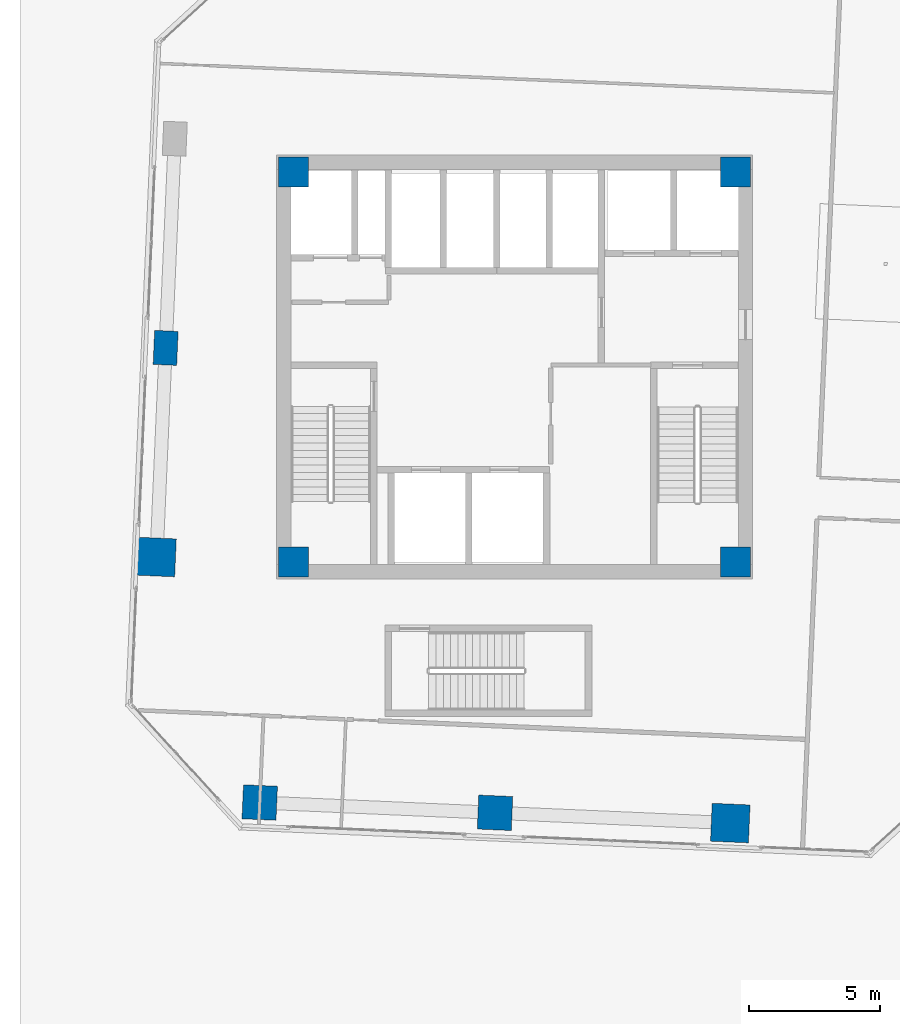
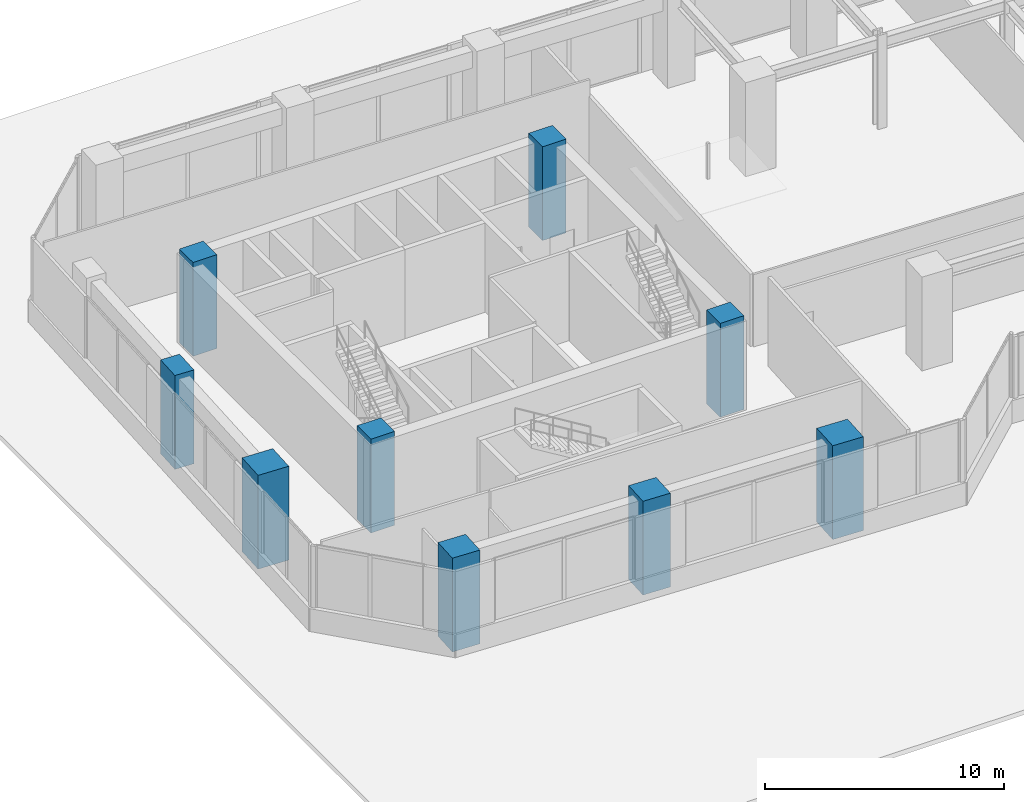
# One storey, part 1 of 33: 9 columns.
"""IFC4 building model written with IfcOpenShell, lengths in metres."""

import ifcopenshell
import ifcopenshell.guid

model = None  # the IFC model being written
_history = None  # IfcOwnerHistory: only IFC2X3 demands one
_inside = {}  # id of a spatial element -> (the spatial element, [elements in it])
_under = {}  # id of a project, library or spatial element -> (it, [spatial elements below it])
_declared = {}  # id of a project -> (the project, [libraries it declares])
_typed = {}  # id of a type object -> (the type object, [elements of that type])
_made_of = {}  # id of a material, layer set ... -> (it, [elements and type objects made of it])


def new_model(schema):
    """Start an empty IFC model of exactly this schema.

    Asked for "IFC4X3", IfcOpenShell would pick the latest addendum, in which some entities
    have other attributes; the version numbers below select the first issue.
    IFC2X3 requires an IfcOwnerHistory on every rooted entity: one is made here for all.
    """
    global model, _history
    if schema == "IFC4X3":
        model = ifcopenshell.file(schema_version=(4, 3, 0, 0))
    else:
        model = ifcopenshell.file(schema=schema)
    _inside.clear()
    _under.clear()
    _declared.clear()
    _typed.clear()
    _made_of.clear()
    _history = None
    if model.schema == "IFC2X3":
        org = make("IfcOrganization", Name="unknown")
        user = make(
            "IfcPersonAndOrganization",
            ThePerson=make("IfcPerson", FamilyName="unknown"),
            TheOrganization=org,
        )
        app = make(
            "IfcApplication",
            ApplicationDeveloper=org,
            Version="unknown",
            ApplicationFullName="unknown",
            ApplicationIdentifier="unknown",
        )
        _history = make(
            "IfcOwnerHistory",
            OwningUser=user,
            OwningApplication=app,
            ChangeAction="ADDED",
            CreationDate=0,
        )
    return model


def make(cls, **values):
    """One entity of the class cls with the attributes given. An attribute that is None is left unset."""
    return model.create_entity(
        cls, **{name: value for name, value in values.items() if value is not None}
    )


def rooted(cls, **values):
    """An entity with a GlobalId (a new one), such as an element, a storey or a relation."""
    return make(cls, GlobalId=ifcopenshell.guid.new(), OwnerHistory=_history, **values)


def si_unit(unit_type, name, prefix=None):
    """IfcSIUnit, for example si_unit("LENGTHUNIT", "METRE", prefix="MILLI")."""
    return make("IfcSIUnit", UnitType=unit_type, Prefix=prefix, Name=name)


def assignment(units):
    """IfcUnitAssignment: the units of a project."""
    return None if units is None else make("IfcUnitAssignment", Units=units)


def point(xyz):
    """IfcCartesianPoint."""
    return None if xyz is None else make("IfcCartesianPoint", Coordinates=xyz)


def direction(xyz):
    """IfcDirection."""
    return None if xyz is None else make("IfcDirection", DirectionRatios=xyz)


def frame(location, z_axis=None, x_axis=None):
    """IfcAxis2Placement3D, a coordinate frame: its origin and axes. An axis left out is left unset."""
    return make(
        "IfcAxis2Placement3D",
        Location=point(location),
        Axis=direction(z_axis),
        RefDirection=direction(x_axis),
    )


def frame_2d(location, x_axis=None):
    """IfcAxis2Placement2D, a coordinate frame in the plane: its origin and x axis."""
    return make(
        "IfcAxis2Placement2D", Location=point(location), RefDirection=direction(x_axis)
    )


def origin():
    """The frame at (0, 0, 0) with its axes left unset."""
    return frame((0.0, 0.0, 0.0))


def origin_2d():
    """The frame at (0, 0) in the plane with its x axis left unset."""
    return frame_2d((0.0, 0.0))


def place(relative_to, where):
    """IfcLocalPlacement: puts the frame where relative to a parent placement (None: the world)."""
    return make(
        "IfcLocalPlacement", PlacementRelTo=relative_to, RelativePlacement=where
    )


def context(
    kind, dimensions, precision=None, world=None, true_north=None, identifier=None
):
    """IfcGeometricRepresentationContext, for example the 3D "Model" context."""
    return make(
        "IfcGeometricRepresentationContext",
        ContextIdentifier=identifier,
        ContextType=kind,
        CoordinateSpaceDimension=dimensions,
        Precision=precision,
        WorldCoordinateSystem=world,
        TrueNorth=true_north,
    )


def subcontext(parent, identifier, kind, view, scale=None):
    """IfcGeometricRepresentationSubContext, for example "Body" below "Model"."""
    return make(
        "IfcGeometricRepresentationSubContext",
        ContextIdentifier=identifier,
        ContextType=kind,
        ParentContext=parent,
        TargetScale=scale,
        TargetView=view,
    )


def project(units=None, contexts=None):
    """IfcProject with its units and contexts."""
    return rooted(
        "IfcProject",
        Name="project",
        RepresentationContexts=contexts,
        UnitsInContext=assignment(units),
    )


def spatial(cls, under=None, at=None, **own):
    """A site, building, storey or space (cls), placed at a placement, below another one or the project."""
    s = rooted(cls, ObjectPlacement=at, **own)
    if under is not None:
        _under.setdefault(under.id(), (under, []))[1].append(s)
    return s


def profile(cls, at=None, kind="AREA", **sizes):
    """A parametric profile (cls). Its sizes go by their IFC names, for example OverallWidth=200.0."""
    return make(cls, ProfileType=kind, Position=at, **sizes)


def rectangle(**sizes):
    """IfcRectangleProfileDef."""
    return profile("IfcRectangleProfileDef", **sizes)


def extrude(swept, where, along, depth):
    """IfcExtrudedAreaSolid: the profile swept, set in the frame where, extruded along a direction by depth."""
    return make(
        "IfcExtrudedAreaSolid",
        SweptArea=swept,
        Position=where,
        ExtrudedDirection=direction(along),
        Depth=depth,
    )


def shape(context_of_items, identifier, shape_type, items):
    """IfcShapeRepresentation: the items that make up one representation, for example the "Body"."""
    return make(
        "IfcShapeRepresentation",
        ContextOfItems=context_of_items,
        RepresentationIdentifier=identifier,
        RepresentationType=shape_type,
        Items=items,
    )


def source(mapping_origin, context_of_items, identifier, shape_type, items):
    """IfcRepresentationMap: a shape defined once, which mapped items show again and again."""
    return make(
        "IfcRepresentationMap",
        MappingOrigin=mapping_origin,
        MappedRepresentation=shape(context_of_items, identifier, shape_type, items),
    )


def transform(
    local_origin,
    x_axis=None,
    y_axis=None,
    z_axis=None,
    scale=None,
    scale2=None,
    scale3=None,
    uniform=True,
):
    """IfcCartesianTransformationOperator3D, or its non-uniform kind. x_axis, y_axis, z_axis: its Axis1, 2, 3."""
    if uniform:
        return make(
            "IfcCartesianTransformationOperator3D",
            Axis1=direction(x_axis),
            Axis2=direction(y_axis),
            LocalOrigin=point(local_origin),
            Scale=scale,
            Axis3=direction(z_axis),
        )
    return make(
        "IfcCartesianTransformationOperator3DnonUniform",
        Axis1=direction(x_axis),
        Axis2=direction(y_axis),
        LocalOrigin=point(local_origin),
        Scale=scale,
        Axis3=direction(z_axis),
        Scale2=scale2,
        Scale3=scale3,
    )


def mapped(mapping_source, mapping_target):
    """IfcMappedItem: shows the shape of a source again, moved by a transform."""
    return make(
        "IfcMappedItem", MappingSource=mapping_source, MappingTarget=mapping_target
    )


def material(Name=None, Category=None):
    """IfcMaterial."""
    return make("IfcMaterial", Name=Name, Category=Category)


def material_profile(
    of_material, cross_section, Name=None, Category=None, Priority=None
):
    """IfcMaterialProfile: a cross section and its material."""
    return make(
        "IfcMaterialProfile",
        Name=Name,
        Material=of_material,
        Profile=cross_section,
        Priority=Priority,
        Category=Category,
    )


def profile_set(profiles, Name=None, composite=None):
    """IfcMaterialProfileSet."""
    return make(
        "IfcMaterialProfileSet",
        Name=Name,
        MaterialProfiles=profiles,
        CompositeProfile=composite,
    )


def made_of(thing, what):
    """Note that an element or type object is made of a material, layer set ...; save() writes the relation."""
    if what is not None:
        _made_of.setdefault(what.id(), (what, []))[1].append(thing)
    return thing


def type_object(cls, material=None, **own):
    """A type object (cls), such as IfcWallType, which elements share."""
    return made_of(rooted(cls, **own), material)


def element(
    cls,
    number,
    at=None,
    inside=None,
    cuts=None,
    type_object=None,
    material=None,
    context=None,
    identifier="Body",
    shape_type=None,
    held_by="IfcProductDefinitionShape",
    body=None,
    shapes=None,
    **own,
):
    """One element of the class cls, such as IfcWall. Its Tag is "e" and its number.

    at: its placement. inside: the storey or other place that contains it. cuts: it is an
    opening in that element (IfcRelVoidsElement). A single representation is given by context,
    identifier, shape_type and body (its items); several are given by shapes. held_by: the class
    of the entity that holds the representations. save() writes the other relations.
    """
    e = rooted(cls, Tag="e%d" % number, ObjectPlacement=at, **own)
    if body is not None:
        shapes = [shape(context, identifier, shape_type, body)]
    if shapes is not None:
        e.Representation = make(held_by, Representations=shapes)
    if inside is not None:
        _inside.setdefault(inside.id(), (inside, []))[1].append(e)
    if cuts is not None:
        rooted(
            "IfcRelVoidsElement", RelatingBuildingElement=cuts, RelatedOpeningElement=e
        )
    if type_object is not None:
        _typed.setdefault(type_object.id(), (type_object, []))[1].append(e)
    return made_of(e, material)


def aggregate(whole, parts):
    """IfcRelAggregates: a whole, such as a stair, and the parts it consists of."""
    return rooted("IfcRelAggregates", RelatingObject=whole, RelatedObjects=parts)


def save(model, path):
    """Write the relations noted so far, then the file.

    IfcRelAggregates (storeys below a building ...), IfcRelContainedInSpatialStructure (elements
    in a storey), IfcRelDefinesByType, IfcRelAssociatesMaterial and IfcRelDeclares: one each for
    every whole, place, type object, material and project.
    """
    for whole, parts in _under.values():
        aggregate(whole, parts)
    for where, things in _inside.values():
        rooted(
            "IfcRelContainedInSpatialStructure",
            RelatedElements=things,
            RelatingStructure=where,
        )
    for kind, things in _typed.values():
        rooted("IfcRelDefinesByType", RelatedObjects=things, RelatingType=kind)
    for what, things in _made_of.values():
        rooted("IfcRelAssociatesMaterial", RelatedObjects=things, RelatingMaterial=what)
    for by, libraries in _declared.values():
        rooted("IfcRelDeclares", RelatingContext=by, RelatedDefinitions=libraries)
    model.write(path)


model = new_model("IFC4")

# Units and contexts
model_context = context("Model", 3, precision=1e-05, world=origin(), true_north=direction((0.0, 1.0)))
body_context = subcontext(model_context, "Body", "Model", "MODEL_VIEW")
ifc_project = project(units=[si_unit("LENGTHUNIT", "METRE"), si_unit("AREAUNIT", "SQUARE_METRE"), si_unit("VOLUMEUNIT", "CUBIC_METRE"), si_unit("PLANEANGLEUNIT", "RADIAN"), si_unit("MASSUNIT", "GRAM", prefix="KILO")], contexts=[model_context])

# Site, building, storey
site_placement = place(None, origin())
site = spatial("IfcSite", under=ifc_project, at=site_placement, CompositionType="ELEMENT")
building_placement = place(site_placement, origin())
building = spatial("IfcBuilding", under=site, at=building_placement, Name="Torre Montelarca", CompositionType="ELEMENT")
storey_placement = place(building_placement, frame((0.0, 0.0, 32.800048828125)))
storey = spatial("IfcBuildingStorey", under=building, at=storey_placement, Name="L07", CompositionType="ELEMENT", Elevation=32.800048828125)

# Columns
ifc_material_1 = material(Name="Concrete C55/67", Category="concrete")
ifc_material_profile_1 = material_profile(ifc_material_1, rectangle(XDim=0.89990234375, YDim=1.300048828125, at=origin_2d()), Name="RC1300X900", Category="concrete")
ifc_profile_set_1 = profile_set([ifc_material_profile_1], Name="Concrete C55/67")
column_type_1 = type_object("IfcColumnType", Name="COL-PIL1300-EXT", PredefinedType="PILASTER", material=ifc_profile_set_1)
shared_shape_1 = source(origin(), body_context, "Body", "SweptSolid", [
    extrude(rectangle(XDim=0.89990234375, YDim=1.300048828125, at=origin_2d()), origin(), (0.0, 0.0, 1.0), 4.798583984375),
])
column_placement = place(storey_placement, frame((4.666015625, 32.735107421875, 0.000732421875), z_axis=(0.0, 0.0, 1.0), x_axis=(-0.999048221582, 0.043619387365, 0.0)))
element("IfcColumn", 1, at=column_placement, inside=storey, type_object=column_type_1, Name="L07 Column 1W/E", PredefinedType="PILASTER", context=body_context, shape_type="MappedRepresentation", body=[
    mapped(shared_shape_1, transform((0.0, 0.0, 0.0), scale=1.0)),
])
ifc_material_2 = material(Name="Concrete C70/85", Category="concrete")
ifc_material_profile_2 = material_profile(ifc_material_2, rectangle(XDim=1.449951171875, YDim=1.449951171875, at=origin_2d()), Name="RC1450X1450", Category="concrete")
ifc_profile_set_2 = profile_set([ifc_material_profile_2], Name="Concrete C70/85")
column_type_2 = type_object("IfcColumnType", Name="COL-RC1450-EXT", PredefinedType="COLUMN", material=ifc_profile_set_2)
shared_shape_2 = source(origin(), body_context, "Body", "SweptSolid", [
    extrude(rectangle(XDim=1.449951171875, YDim=1.449951171875, at=origin_2d()), origin(), (0.0, 0.0, 1.0), 4.798583984375),
])
for number, where, z_axis, x_axis, name in (
    (2, (26.244384765625, 14.576416015625, 0.000732421875), (0.0, 0.0, 1.0), (-0.999048221582, 0.043619387365, 0.0), "L07 Perimeter Mega Column 4/CS"),
    (3, (4.317138671875, 24.74267578125, 0.000732421875), (0.0, 0.0, 1.0), (-0.999048221582, 0.043619387365, 0.0), "L07 Perimeter Mega Column 1W/D"),
):
    element("IfcColumn", number, at=place(storey_placement, frame(where, z_axis=z_axis, x_axis=x_axis)), inside=storey, type_object=column_type_2, Name=name, PredefinedType="COLUMN", context=body_context, shape_type="MappedRepresentation", body=[
        mapped(shared_shape_2, transform((0.0, 0.0, 0.0), scale=1.0)),
    ])
ifc_material_profile_3 = material_profile(ifc_material_1, rectangle(XDim=1.14990234375, YDim=1.14990234375, at=origin_2d()), Name="RC1150X1150", Category="concrete")
ifc_profile_set_3 = profile_set([ifc_material_profile_3], Name="Concrete C55/67")
column_type_3 = type_object("IfcColumnType", Name="COL-RC1150", PredefinedType="COLUMN", material=ifc_profile_set_3)
shared_shape_3 = source(origin(), body_context, "Body", "SweptSolid", [
    extrude(rectangle(XDim=1.14990234375, YDim=1.14990234375, at=origin_2d()), origin(), (0.0, 0.0, 1.0), 4.798583984375),
])
for number, where, z_axis, x_axis, name in (
    (4, (9.550048828125, 24.550048828125, 0.000732421875), (0.0, 0.0, 1.0), (1.0, 0.0, 0.0), "L07 Plumb Core Corner Column 2D"),
    (5, (26.449951171875, 24.550048828125, 0.000732421875), (0.0, 0.0, 1.0), (1.0, 0.0, 0.0), "L07 Plumb Core Corner Column 4D"),
    (6, (9.550048828125, 39.449951171875, 0.000732421875), (0.0, 0.0, 1.0), (1.0, 0.0, 0.0), "L07 Plumb Core Corner Column 2F"),
    (7, (26.449951171875, 39.449951171875, 0.000732421875), (0.0, 0.0, 1.0), (1.0, 0.0, 0.0), "L07 Plumb Core Corner Column 4F"),
):
    element("IfcColumn", number, at=place(storey_placement, frame(where, z_axis=z_axis, x_axis=x_axis)), inside=storey, type_object=column_type_3, Name=name, PredefinedType="COLUMN", context=body_context, shape_type="MappedRepresentation", body=[
        mapped(shared_shape_3, transform((0.0, 0.0, 0.0), scale=1.0)),
    ])
ifc_material_profile_4 = material_profile(ifc_material_2, rectangle(XDim=1.300048828125, YDim=1.300048828125, at=origin_2d()), Name="RC1300X1300", Category="concrete")
ifc_profile_set_4 = profile_set([ifc_material_profile_4], Name="Concrete C70/85")
column_type_4 = type_object("IfcColumnType", Name="COL-RC1300-EXT", PredefinedType="COLUMN", material=ifc_profile_set_4)
shared_shape_4 = source(origin(), body_context, "Body", "SweptSolid", [
    extrude(rectangle(XDim=1.300048828125, YDim=1.300048828125, at=origin_2d()), origin(), (0.0, 0.0, 1.0), 4.798583984375),
])
for number, where, z_axis, x_axis, name in (
    (8, (8.26171875, 15.361572265625, 0.000732421875), (0.0, 0.0, 1.0), (-0.999048221582, 0.043619387365, 0.0), "L07 Column 2/CS"),
    (9, (17.253173828125, 14.968994140625, 0.000732421875), (0.0, 0.0, 1.0), (-0.999048221582, 0.043619387365, 0.0), "L07 Column 3/CS"),
):
    element("IfcColumn", number, at=place(storey_placement, frame(where, z_axis=z_axis, x_axis=x_axis)), inside=storey, type_object=column_type_4, Name=name, PredefinedType="COLUMN", context=body_context, shape_type="MappedRepresentation", body=[
        mapped(shared_shape_4, transform((0.0, 0.0, 0.0), scale=1.0)),
    ])

save(model, "model.ifc")
